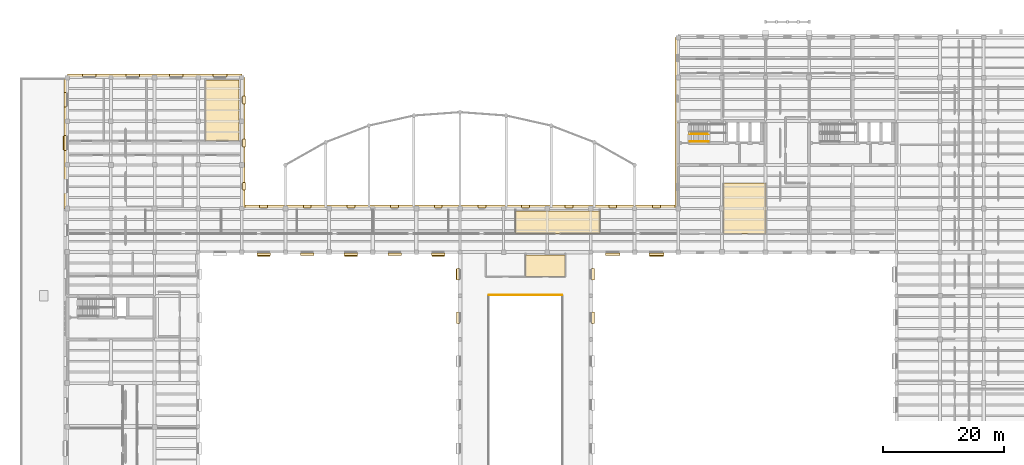
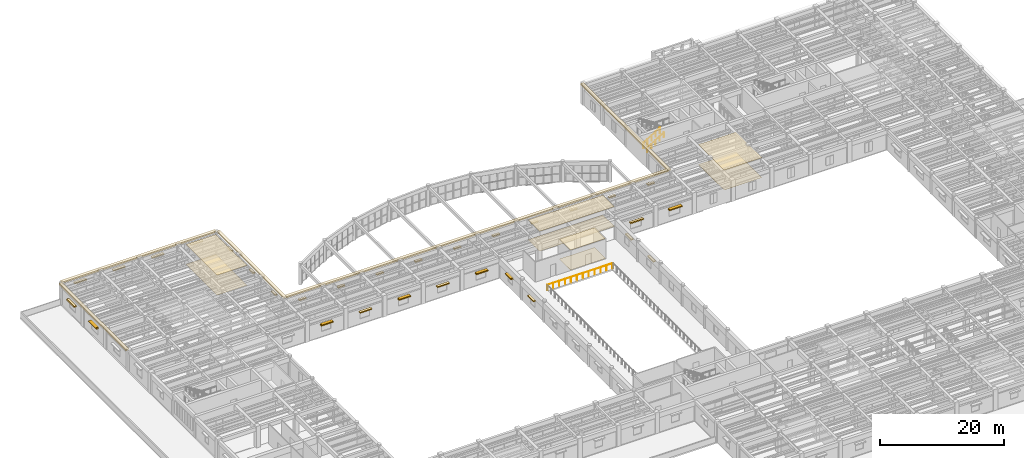
# One storey, part 70 of 76: 43 coverings, 6 shading devices, 3 railings.
"""IFC4 building model written with IfcOpenShell, lengths in metres."""

from ifc_helpers import new_model, si_unit, direction, frame, origin, origin_2d, place, context, subcontext, project, spatial, polyline, rectangle, circle, outline, extrude, material, layer, layer_set, type_object, element, save


model = new_model("IFC4")

# Units and contexts
model_context = context("Model", 3, precision=1e-05, world=origin(), true_north=direction((0.0, 1.0)))
body_context = subcontext(model_context, "Body", "Model", "MODEL_VIEW")
ifc_project = project(units=[si_unit("LENGTHUNIT", "METRE"), si_unit("AREAUNIT", "SQUARE_METRE"), si_unit("VOLUMEUNIT", "CUBIC_METRE"), si_unit("PLANEANGLEUNIT", "RADIAN"), si_unit("MASSUNIT", "GRAM", prefix="KILO")], contexts=[model_context])

# Site, building, storey
site_placement = place(None, origin())
site = spatial("IfcSite", under=ifc_project, at=site_placement, CompositionType="ELEMENT")
building_placement = place(site_placement, origin())
building = spatial("IfcBuilding", under=site, at=building_placement, Name="Mithqara Police Headquarters", CompositionType="ELEMENT")
storey_placement = place(building_placement, frame((0.0, 0.0, 5.39990234375)))
storey = spatial("IfcBuildingStorey", under=building, at=storey_placement, Name="L01", CompositionType="ELEMENT", Elevation=5.39990234375)

# Coverings
ifc_material_1 = material(Name="Acoustic mineral-fibre ceiling tile", Category="gypsum")
ifc_layer_1 = layer(ifc_material_1, 0.02490234375, Name="Acoustic mineral-fibre ceiling tile")
ifc_layer_set_1 = layer_set([ifc_layer_1], Name="Acoustic mineral-fibre ceiling tile")
covering_type_1 = type_object("IfcCoveringType", Name="ACOUSTIC CEILING TILE", PredefinedType="CEILING", material=ifc_layer_set_1)
covering_1_placement = place(storey_placement, frame((0.0, 0.0, 3.89501953125)))
element("IfcCovering", 1, at=covering_1_placement, inside=storey, type_object=covering_type_1, Name="Municipal Camera Liaison Room Acoustic Ceiling", PredefinedType="CEILING", context=body_context, shape_type="SweptSolid", body=[
    extrude(outline(polyline([(116.072021484375, 81.659912109375), (123.06396484375, 81.659912109375), (123.06396484375, 89.97998046875), (116.072021484375, 89.97998046875), (116.072021484375, 81.659912109375)])), origin(), (0.0, 0.0, 1.0), 0.025146484375),
])
covering_2_placement = place(storey_placement, frame((0.0, 0.0, 3.89501953125)))
element("IfcCovering", 2, at=covering_2_placement, inside=storey, type_object=covering_type_1, Name="Public Records Counter Acoustic Ceiling", PredefinedType="CEILING", context=body_context, shape_type="SweptSolid", body=[
    extrude(outline(polyline([(30.60791015625, 96.93994140625), (36.159912109375, 96.93994140625), (36.159912109375, 106.9599609375), (30.60791015625, 106.9599609375), (30.60791015625, 96.93994140625)])), origin(), (0.0, 0.0, 1.0), 0.025146484375),
])
covering_3_placement = place(storey_placement, frame((0.0, 0.0, 3.89501953125)))
element("IfcCovering", 3, at=covering_3_placement, inside=storey, type_object=covering_type_1, Name="Civic Gallery Concourse Acoustic Ceiling", PredefinedType="CEILING", context=body_context, shape_type="SweptSolid", body=[
    extrude(outline(polyline([(81.760009765625, 81.659912109375), (95.6650390625, 81.659912109375), (95.6650390625, 85.360107421875), (81.760009765625, 85.360107421875), (81.760009765625, 81.659912109375)])), origin(), (0.0, 0.0, 1.0), 0.025146484375),
])
covering_4_placement = place(storey_placement, frame((0.0, 0.0, 3.89501953125)))
element("IfcCovering", 4, at=covering_4_placement, inside=storey, type_object=covering_type_1, Name="Civic Heritage Display Alcove Acoustic Ceiling", PredefinedType="CEILING", context=body_context, shape_type="SweptSolid", body=[
    extrude(outline(polyline([(83.419921875, 74.590087890625), (89.929931640625, 74.590087890625), (89.929931640625, 78.159912109375), (83.419921875, 78.159912109375), (83.419921875, 74.590087890625)])), origin(), (0.0, 0.0, 1.0), 0.025146484375),
])
ifc_material_2 = material(Name="Limestone ashlar masonry, 45 MPa", Category="masonry")
ifc_layer_2 = layer(ifc_material_2, 0.320068359375, Name="Limestone ashlar masonry, 45 MPa")
ifc_layer_set_2 = layer_set([ifc_layer_2], Name="Limestone ashlar masonry, 45 MPa")
covering_type_2 = type_object("IfcCoveringType", Name="CORNICE LIMESTONE", PredefinedType="CLADDING", material=ifc_layer_set_2)
covering_5_placement = place(storey_placement, frame((108.320068359375, 99.89990234375, 3.919921875), z_axis=(0.0, 0.0, 1.0), x_axis=(0.0, 1.0, 0.0)))
element("IfcCovering", 5, at=covering_5_placement, inside=storey, type_object=covering_type_2, Name="L01 Projecting Ottoman Limestone Eaves Cornice 11", PredefinedType="CLADDING", context=body_context, shape_type="SweptSolid", body=[
    extrude(rectangle(XDim=28.199951171875, YDim=0.56005859375, at=origin_2d()), origin(), (0.0, 0.0, 1.0), 0.280029296875),
])
covering_6_placement = place(storey_placement, frame((72.60009765625, 86.080078125, 3.919921875), z_axis=(0.0, 0.0, 1.0), x_axis=(1.0, 0.0, 0.0)))
element("IfcCovering", 6, at=covering_6_placement, inside=storey, type_object=covering_type_2, Name="L01 Projecting Ottoman Limestone Eaves Cornice 12", PredefinedType="CLADDING", context=body_context, shape_type="SweptSolid", body=[
    extrude(rectangle(XDim=72.0, YDim=0.56005859375, at=origin_2d()), origin(), (0.0, 0.0, 1.0), 0.280029296875),
])
covering_7_placement = place(storey_placement, frame((36.8798828125, 96.60009765625, 3.919921875), z_axis=(0.0, 0.0, 1.0), x_axis=(0.0, 1.0, 0.0)))
element("IfcCovering", 7, at=covering_7_placement, inside=storey, type_object=covering_type_2, Name="L01 Projecting Ottoman Limestone Eaves Cornice 13", PredefinedType="CLADDING", context=body_context, shape_type="SweptSolid", body=[
    extrude(rectangle(XDim=21.60009765625, YDim=0.56005859375, at=origin_2d()), origin(), (0.0, 0.0, 1.0), 0.280029296875),
])
covering_8_placement = place(storey_placement, frame((22.199951171875, 107.679931640625, 3.919921875), z_axis=(0.0, 0.0, 1.0), x_axis=(1.0, 0.0, 0.0)))
element("IfcCovering", 8, at=covering_8_placement, inside=storey, type_object=covering_type_2, Name="L01 Projecting Ottoman Limestone Eaves Cornice 14", PredefinedType="CLADDING", context=body_context, shape_type="SweptSolid", body=[
    extrude(rectangle(XDim=28.800048828125, YDim=0.56005859375, at=origin_2d()), origin(), (0.0, 0.0, 1.0), 0.280029296875),
])
covering_9_placement = place(storey_placement, frame((7.52001953125, 96.60009765625, 3.919921875), z_axis=(0.0, 0.0, 1.0), x_axis=(0.0, 1.0, 0.0)))
element("IfcCovering", 9, at=covering_9_placement, inside=storey, type_object=covering_type_2, Name="L01 Projecting Ottoman Limestone Eaves Cornice 15", PredefinedType="CLADDING", context=body_context, shape_type="SweptSolid", body=[
    extrude(rectangle(XDim=21.60009765625, YDim=0.56005859375, at=origin_2d()), origin(), (0.0, 0.0, 1.0), 0.280029296875),
])

# Railings
ifc_material_3 = material(Name="Bronze anodised aluminium 6063-T6", Category="aluminium")
railing_type_1 = type_object("IfcRailingType", Name="GUARD BALUSTRADE1120", PredefinedType="BALUSTRADE", material=ifc_material_3)
railing_1_placement = place(storey_placement, frame((77.35009765625, 71.52001953125, 0.0)))
element("IfcRailing", 10, at=railing_1_placement, inside=storey, type_object=railing_type_1, Name="L01 Gallery Void Balustrade VOID-L01-HALL-N", PredefinedType="BALUSTRADE", context=body_context, shape_type="SweptSolid", body=[
    extrude(circle(Radius=0.02392578125, at=origin_2d()), frame((0.0, 0.0, 1.09619140625), z_axis=(1.0, 0.0, 0.0), x_axis=(0.0, 1.0, 0.0)), (0.0, 0.0, 1.0), 12.099853515625),
    extrude(circle(Radius=0.02099609375, at=origin_2d()), origin(), (0.0, 0.0, 1.0), 1.072021484375),
    extrude(circle(Radius=0.02099609375, at=origin_2d()), frame((1.10009765625, 0.0, 0.0)), (0.0, 0.0, 1.0), 1.072021484375),
    extrude(circle(Radius=0.02099609375, at=origin_2d()), frame((2.199951171875, 0.0, 0.0)), (0.0, 0.0, 1.0), 1.072021484375),
    extrude(circle(Radius=0.02099609375, at=origin_2d()), frame((3.300048828125, 0.0, 0.0)), (0.0, 0.0, 1.0), 1.072021484375),
    extrude(circle(Radius=0.02099609375, at=origin_2d()), frame((4.39990234375, 0.0, 0.0)), (0.0, 0.0, 1.0), 1.072021484375),
    extrude(circle(Radius=0.02099609375, at=origin_2d()), frame((5.5, 0.0, 0.0)), (0.0, 0.0, 1.0), 1.072021484375),
    extrude(circle(Radius=0.02099609375, at=origin_2d()), frame((6.599853515625, 0.0, 0.0)), (0.0, 0.0, 1.0), 1.072021484375),
    extrude(circle(Radius=0.02099609375, at=origin_2d()), frame((7.699951171875, 0.0, 0.0)), (0.0, 0.0, 1.0), 1.072021484375),
    extrude(circle(Radius=0.02099609375, at=origin_2d()), frame((8.7998046875, 0.0, 0.0)), (0.0, 0.0, 1.0), 1.072021484375),
    extrude(circle(Radius=0.02099609375, at=origin_2d()), frame((9.89990234375, 0.0, 0.0)), (0.0, 0.0, 1.0), 1.072021484375),
    extrude(circle(Radius=0.02099609375, at=origin_2d()), frame((10.999755859375, 0.0, 0.0)), (0.0, 0.0, 1.0), 1.072021484375),
    extrude(circle(Radius=0.02099609375, at=origin_2d()), frame((12.099853515625, 0.0, 0.0)), (0.0, 0.0, 1.0), 1.072021484375),
])
ifc_material_4 = material(Name="Steel S355JR", Category="steel")
railing_type_2 = type_object("IfcRailingType", Name="HANDRAIL 920", PredefinedType="HANDRAIL", material=ifc_material_4)
railing_2_placement = place(storey_placement, frame((110.550048828125, 96.85009765625, 0.175048828125)))
element("IfcRailing", 11, at=railing_2_placement, inside=storey, type_object=railing_type_2, Name="L01 ST-01 stair handrail 1", PredefinedType="HANDRAIL", context=body_context, shape_type="SweptSolid", body=[
    extrude(circle(Radius=0.02392578125, at=origin_2d()), frame((0.0, 0.0, 0.8759765625), z_axis=(0.847979421464, 0.0, 0.530029150871), x_axis=(0.0, 1.0, 0.0)), (0.0, 0.0, 1.0), 3.632080078125),
    extrude(circle(Radius=0.02099609375, at=origin_2d()), origin(), (0.0, 0.0, 1.0), 0.851806640625),
    extrude(circle(Radius=0.02099609375, at=origin_2d()), frame((0.77001953125, 0.0, 0.481201171875)), (0.0, 0.0, 1.0), 0.851806640625),
    extrude(circle(Radius=0.02099609375, at=origin_2d()), frame((1.5400390625, 0.0, 0.96240234375)), (0.0, 0.0, 1.0), 0.851806640625),
    extrude(circle(Radius=0.02099609375, at=origin_2d()), frame((2.309814453125, 0.0, 1.44384765625)), (0.0, 0.0, 1.0), 0.851806640625),
    extrude(circle(Radius=0.02099609375, at=origin_2d()), frame((3.079833984375, 0.0, 1.925048828125)), (0.0, 0.0, 1.0), 0.851806640625),
])

# Shading devices
shading_device_type = type_object("IfcShadingDeviceType", Name="SOLAR LOUVRE BRONZE", PredefinedType="JALOUSIE", material=ifc_material_3)
shading_device_1_placement = place(storey_placement, frame((7.39990234375, 96.60009765625, 2.590087890625), z_axis=(0.0, 0.0, 1.0), x_axis=(0.0, 1.0, 0.0)))
element("IfcShadingDevice", 12, at=shading_device_1_placement, inside=storey, type_object=shading_device_type, Name="L01 Window Solar Louvre Hood 15.2", PredefinedType="JALOUSIE", context=body_context, shape_type="SweptSolid", body=[
    extrude(rectangle(XDim=2.300048828125, YDim=0.60009765625, at=origin_2d()), origin(), (0.0, 0.0, 1.0), 0.10009765625),
])
for number, where, z_axis, x_axis, name in (
    (13, (40.199951171875, 78.199951171875, 2.590087890625), (0.0, 0.0, 1.0), (1.0, 0.0, 0.0), "L01 Window Solar Louvre Hood 3.2"),
    (14, (54.60009765625, 78.199951171875, 2.590087890625), (0.0, 0.0, 1.0), (1.0, 0.0, 0.0), "L01 Window Solar Louvre Hood 3.4"),
    (15, (69.0, 78.199951171875, 2.590087890625), (0.0, 0.0, 1.0), (1.0, 0.0, 0.0), "L01 Window Solar Louvre Hood 3.6"),
):
    element("IfcShadingDevice", number, at=place(storey_placement, frame(where, z_axis=z_axis, x_axis=x_axis)), inside=storey, type_object=shading_device_type, Name=name, PredefinedType="JALOUSIE", context=body_context, shape_type="SweptSolid", body=[
        extrude(rectangle(XDim=2.10009765625, YDim=0.60009765625, at=origin_2d()), origin(), (0.0, 0.0, 1.0), 0.10009765625),
    ])
shading_device_2_placement = place(storey_placement, frame((72.199951171875, 74.925048828125, 2.590087890625), z_axis=(0.0, 0.0, 1.0), x_axis=(0.0, 1.0, 0.0)))
element("IfcShadingDevice", 16, at=shading_device_2_placement, inside=storey, type_object=shading_device_type, Name="L01 Window Solar Louvre Hood 4.6", PredefinedType="JALOUSIE", context=body_context, shape_type="SweptSolid", body=[
    extrude(rectangle(XDim=1.75, YDim=0.60009765625, at=origin_2d()), origin(), (0.0, 0.0, 1.0), 0.10009765625),
])
shading_device_3_placement = place(storey_placement, frame((105.0, 78.199951171875, 2.590087890625), z_axis=(0.0, 0.0, 1.0), x_axis=(1.0, 0.0, 0.0)))
element("IfcShadingDevice", 17, at=shading_device_3_placement, inside=storey, type_object=shading_device_type, Name="L01 Window Solar Louvre Hood 2.2", PredefinedType="JALOUSIE", context=body_context, shape_type="SweptSolid", body=[
    extrude(rectangle(XDim=2.300048828125, YDim=0.60009765625, at=origin_2d()), origin(), (0.0, 0.0, 1.0), 0.10009765625),
])

# Railing
railing_type_3 = type_object("IfcRailingType", Name="STAIR GUARD 1120", PredefinedType="GUARDRAIL", material=ifc_material_4)
railing_3_placement = place(storey_placement, frame((110.550048828125, 98.10009765625, 0.175048828125)))
element("IfcRailing", 18, at=railing_3_placement, inside=storey, type_object=railing_type_3, Name="L01 ST-01 stair guard 1", PredefinedType="GUARDRAIL", context=body_context, shape_type="SweptSolid", body=[
    extrude(circle(Radius=0.02392578125, at=origin_2d()), frame((0.0, 0.0, 1.076171875), z_axis=(0.847979421464, 0.0, 0.530029150871), x_axis=(0.0, 1.0, 0.0)), (0.0, 0.0, 1.0), 3.632080078125),
    extrude(circle(Radius=0.02099609375, at=origin_2d()), origin(), (0.0, 0.0, 1.0), 1.052001953125),
    extrude(circle(Radius=0.02099609375, at=origin_2d()), frame((0.77001953125, 0.0, 0.481201171875)), (0.0, 0.0, 1.0), 1.052001953125),
    extrude(circle(Radius=0.02099609375, at=origin_2d()), frame((1.5400390625, 0.0, 0.96240234375)), (0.0, 0.0, 1.0), 1.052001953125),
    extrude(circle(Radius=0.02099609375, at=origin_2d()), frame((2.309814453125, 0.0, 1.44384765625)), (0.0, 0.0, 1.0), 1.052001953125),
    extrude(circle(Radius=0.02099609375, at=origin_2d()), frame((3.079833984375, 0.0, 1.925048828125)), (0.0, 0.0, 1.0), 1.052001953125),
])

# Coverings
ifc_material_5 = material(Name="Polished limestone terrazzo flooring", Category="masonry")
ifc_layer_3 = layer(ifc_material_5, 0.02001953125, Name="Polished limestone terrazzo flooring")
ifc_layer_set_3 = layer_set([ifc_layer_3], Name="Polished limestone terrazzo flooring")
covering_type_3 = type_object("IfcCoveringType", Name="TERRAZZO FLOOR FINISH", PredefinedType="FLOORING", material=ifc_layer_set_3)
covering_10_placement = place(storey_placement, origin())
element("IfcCovering", 19, at=covering_10_placement, inside=storey, type_object=covering_type_3, Name="Municipal Camera Liaison Room Terrazzo Floor Finish", PredefinedType="FLOORING", context=body_context, shape_type="SweptSolid", body=[
    extrude(outline(polyline([(116.072021484375, 81.659912109375), (123.06396484375, 81.659912109375), (123.06396484375, 89.97998046875), (116.072021484375, 89.97998046875), (116.072021484375, 81.659912109375)])), origin(), (0.0, 0.0, 1.0), 0.02001953125),
])
covering_11_placement = place(storey_placement, origin())
element("IfcCovering", 20, at=covering_11_placement, inside=storey, type_object=covering_type_3, Name="Public Records Counter Terrazzo Floor Finish", PredefinedType="FLOORING", context=body_context, shape_type="SweptSolid", body=[
    extrude(outline(polyline([(30.60791015625, 96.93994140625), (36.159912109375, 96.93994140625), (36.159912109375, 106.9599609375), (30.60791015625, 106.9599609375), (30.60791015625, 96.93994140625)])), origin(), (0.0, 0.0, 1.0), 0.02001953125),
])
covering_12_placement = place(storey_placement, origin())
element("IfcCovering", 21, at=covering_12_placement, inside=storey, type_object=covering_type_3, Name="Civic Gallery Concourse Terrazzo Floor Finish", PredefinedType="FLOORING", context=body_context, shape_type="SweptSolid", body=[
    extrude(outline(polyline([(81.760009765625, 81.659912109375), (95.6650390625, 81.659912109375), (95.6650390625, 85.360107421875), (81.760009765625, 85.360107421875), (81.760009765625, 81.659912109375)])), origin(), (0.0, 0.0, 1.0), 0.02001953125),
])
covering_13_placement = place(storey_placement, origin())
element("IfcCovering", 22, at=covering_13_placement, inside=storey, type_object=covering_type_3, Name="Civic Heritage Display Alcove Terrazzo Floor Finish", PredefinedType="FLOORING", context=body_context, shape_type="SweptSolid", body=[
    extrude(outline(polyline([(83.419921875, 74.590087890625), (89.929931640625, 74.590087890625), (89.929931640625, 78.159912109375), (83.419921875, 78.159912109375), (83.419921875, 74.590087890625)])), origin(), (0.0, 0.0, 1.0), 0.02001953125),
])
ifc_layer_4 = layer(ifc_material_2, 0.239990234375, Name="Limestone ashlar masonry, 45 MPa")
ifc_layer_set_4 = layer_set([ifc_layer_4], Name="Limestone ashlar masonry, 45 MPa")
covering_type_4 = type_object("IfcCoveringType", Name="WINDOW HOOD LIMESTONE", PredefinedType="CLADDING", material=ifc_layer_set_4)
for number, where, z_axis, x_axis, name in (
    (23, (40.199951171875, 86.139892578125, 2.3701171875), (0.0, 0.0, 1.0), (1.0, 0.0, 0.0), "L01 Limestone Window Architrave Hood 12.1"),
    (24, (47.39990234375, 86.139892578125, 2.3701171875), (0.0, 0.0, 1.0), (1.0, 0.0, 0.0), "L01 Limestone Window Architrave Hood 12.2"),
    (25, (54.60009765625, 86.139892578125, 2.3701171875), (0.0, 0.0, 1.0), (1.0, 0.0, 0.0), "L01 Limestone Window Architrave Hood 12.3"),
    (26, (61.800048828125, 86.139892578125, 2.3701171875), (0.0, 0.0, 1.0), (1.0, 0.0, 0.0), "L01 Limestone Window Architrave Hood 12.4"),
    (27, (69.0, 86.139892578125, 2.3701171875), (0.0, 0.0, 1.0), (1.0, 0.0, 0.0), "L01 Limestone Window Architrave Hood 12.5"),
    (28, (76.199951171875, 86.139892578125, 2.3701171875), (0.0, 0.0, 1.0), (1.0, 0.0, 0.0), "L01 Limestone Window Architrave Hood 12.6"),
    (29, (83.39990234375, 86.139892578125, 2.3701171875), (0.0, 0.0, 1.0), (1.0, 0.0, 0.0), "L01 Limestone Window Architrave Hood 12.7"),
    (30, (90.60009765625, 86.139892578125, 2.3701171875), (0.0, 0.0, 1.0), (1.0, 0.0, 0.0), "L01 Limestone Window Architrave Hood 12.8"),
    (31, (97.800048828125, 86.139892578125, 2.3701171875), (0.0, 0.0, 1.0), (1.0, 0.0, 0.0), "L01 Limestone Window Architrave Hood 12.9"),
    (32, (105.0, 86.139892578125, 2.3701171875), (0.0, 0.0, 1.0), (1.0, 0.0, 0.0), "L01 Limestone Window Architrave Hood 12.10"),
    (33, (36.93994140625, 89.47509765625, 2.6201171875), (0.0, 0.0, 1.0), (0.0, 1.0, 0.0), "L01 Limestone Window Architrave Hood 13.1"),
    (34, (36.93994140625, 96.60009765625, 2.6201171875), (0.0, 0.0, 1.0), (0.0, 1.0, 0.0), "L01 Limestone Window Architrave Hood 13.2"),
    (35, (36.93994140625, 103.72509765625, 2.6201171875), (0.0, 0.0, 1.0), (0.0, 1.0, 0.0), "L01 Limestone Window Architrave Hood 13.3"),
):
    element("IfcCovering", number, at=place(storey_placement, frame(where, z_axis=z_axis, x_axis=x_axis)), inside=storey, type_object=covering_type_4, Name=name, PredefinedType="CLADDING", context=body_context, shape_type="SweptSolid", body=[
        extrude(rectangle(XDim=1.2900390625, YDim=0.4599609375, at=origin_2d()), origin(), (0.0, 0.0, 1.0), 0.219970703125),
    ])
for number, where, z_axis, x_axis, name in (
    (36, (11.39990234375, 107.739990234375, 2.8701171875), (0.0, 0.0, 1.0), (1.0, 0.0, 0.0), "L01 Limestone Window Architrave Hood 14.1"),
    (37, (18.60009765625, 107.739990234375, 2.8701171875), (0.0, 0.0, 1.0), (1.0, 0.0, 0.0), "L01 Limestone Window Architrave Hood 14.2"),
    (38, (25.800048828125, 107.739990234375, 2.8701171875), (0.0, 0.0, 1.0), (1.0, 0.0, 0.0), "L01 Limestone Window Architrave Hood 14.3"),
    (39, (33.0, 107.739990234375, 2.8701171875), (0.0, 0.0, 1.0), (1.0, 0.0, 0.0), "L01 Limestone Window Architrave Hood 14.4"),
):
    element("IfcCovering", number, at=place(storey_placement, frame(where, z_axis=z_axis, x_axis=x_axis)), inside=storey, type_object=covering_type_4, Name=name, PredefinedType="CLADDING", context=body_context, shape_type="SweptSolid", body=[
        extrude(rectangle(XDim=2.239990234375, YDim=0.4599609375, at=origin_2d()), origin(), (0.0, 0.0, 1.0), 0.219970703125),
    ])
for number, where, z_axis, x_axis, name in (
    (40, (7.4599609375, 96.60009765625, 2.3701171875), (0.0, 0.0, 1.0), (0.0, 1.0, 0.0), "L01 Limestone Window Architrave Hood 15.2"),
    (41, (7.4599609375, 103.72509765625, 2.3701171875), (0.0, 0.0, 1.0), (0.0, 1.0, 0.0), "L01 Limestone Window Architrave Hood 15.3"),
):
    element("IfcCovering", number, at=place(storey_placement, frame(where, z_axis=z_axis, x_axis=x_axis)), inside=storey, type_object=covering_type_4, Name=name, PredefinedType="CLADDING", context=body_context, shape_type="SweptSolid", body=[
        extrude(rectangle(XDim=2.43994140625, YDim=0.4599609375, at=origin_2d()), origin(), (0.0, 0.0, 1.0), 0.219970703125),
    ])
for number, where, z_axis, x_axis, name in (
    (42, (40.199951171875, 78.260009765625, 2.3701171875), (0.0, 0.0, 1.0), (1.0, 0.0, 0.0), "L01 Limestone Window Architrave Hood 3.2"),
    (43, (47.39990234375, 78.260009765625, 2.3701171875), (0.0, 0.0, 1.0), (1.0, 0.0, 0.0), "L01 Limestone Window Architrave Hood 3.3"),
    (44, (54.60009765625, 78.260009765625, 2.3701171875), (0.0, 0.0, 1.0), (1.0, 0.0, 0.0), "L01 Limestone Window Architrave Hood 3.4"),
    (45, (61.800048828125, 78.260009765625, 2.3701171875), (0.0, 0.0, 1.0), (1.0, 0.0, 0.0), "L01 Limestone Window Architrave Hood 3.5"),
    (46, (69.0, 78.260009765625, 2.3701171875), (0.0, 0.0, 1.0), (1.0, 0.0, 0.0), "L01 Limestone Window Architrave Hood 3.6"),
):
    element("IfcCovering", number, at=place(storey_placement, frame(where, z_axis=z_axis, x_axis=x_axis)), inside=storey, type_object=covering_type_4, Name=name, PredefinedType="CLADDING", context=body_context, shape_type="SweptSolid", body=[
        extrude(rectangle(XDim=2.239990234375, YDim=0.4599609375, at=origin_2d()), origin(), (0.0, 0.0, 1.0), 0.219970703125),
    ])
for number, where, z_axis, x_axis, name in (
    (47, (72.260009765625, 67.800048828125, 2.3701171875), (0.0, 0.0, 1.0), (0.0, 1.0, 0.0), "L01 Limestone Window Architrave Hood 4.5"),
    (48, (72.260009765625, 74.925048828125, 2.3701171875), (0.0, 0.0, 1.0), (0.0, 1.0, 0.0), "L01 Limestone Window Architrave Hood 4.6"),
    (49, (94.5400390625, 67.800048828125, 2.3701171875), (0.0, 0.0, 1.0), (0.0, 1.0, 0.0), "L01 Limestone Window Architrave Hood 1.5"),
    (50, (94.5400390625, 74.925048828125, 2.3701171875), (0.0, 0.0, 1.0), (0.0, 1.0, 0.0), "L01 Limestone Window Architrave Hood 1.6"),
):
    element("IfcCovering", number, at=place(storey_placement, frame(where, z_axis=z_axis, x_axis=x_axis)), inside=storey, type_object=covering_type_4, Name=name, PredefinedType="CLADDING", context=body_context, shape_type="SweptSolid", body=[
        extrude(rectangle(XDim=1.889892578125, YDim=0.4599609375, at=origin_2d()), origin(), (0.0, 0.0, 1.0), 0.219970703125),
    ])
for number, where, z_axis, x_axis, name in (
    (51, (97.800048828125, 78.260009765625, 2.3701171875), (0.0, 0.0, 1.0), (1.0, 0.0, 0.0), "L01 Limestone Window Architrave Hood 2.1"),
    (52, (105.0, 78.260009765625, 2.3701171875), (0.0, 0.0, 1.0), (1.0, 0.0, 0.0), "L01 Limestone Window Architrave Hood 2.2"),
):
    element("IfcCovering", number, at=place(storey_placement, frame(where, z_axis=z_axis, x_axis=x_axis)), inside=storey, type_object=covering_type_4, Name=name, PredefinedType="CLADDING", context=body_context, shape_type="SweptSolid", body=[
        extrude(rectangle(XDim=2.43994140625, YDim=0.4599609375, at=origin_2d()), origin(), (0.0, 0.0, 1.0), 0.219970703125),
    ])

save(model, "model.ifc")
